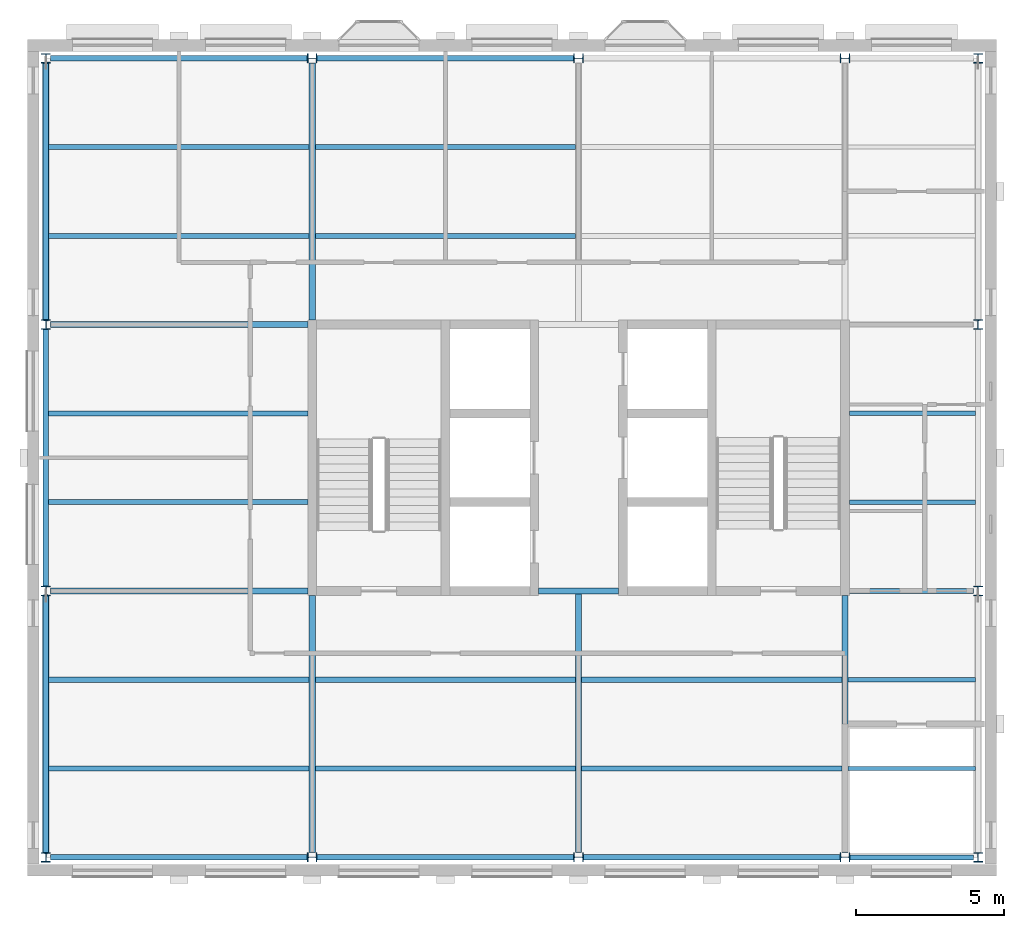
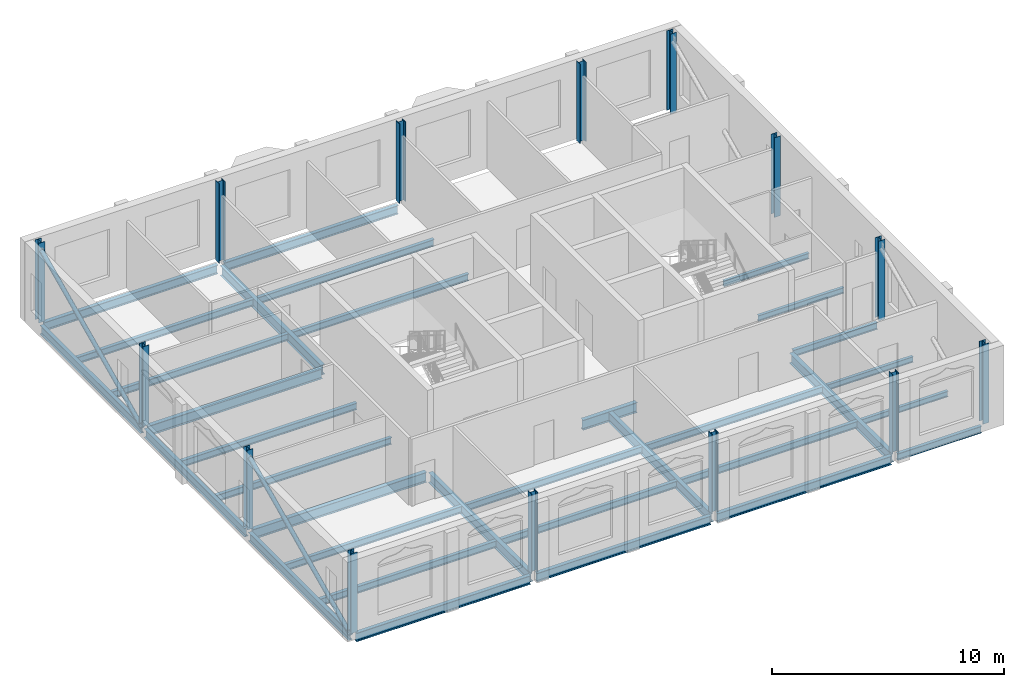
# One storey, part 1 of 9: 33 beams, 14 columns, 2 members.
"""IFC4 building model written with IfcOpenShell, lengths in metres."""

from ifc_helpers import new_model, si_unit, direction, frame, origin, origin_2d, place, context, subcontext, project, spatial, hollow_circle, i_section, extrude, material, material_profile, profile_set, type_object, element, save


model = new_model("IFC4")

# Units and contexts
model_context = context("Model", 3, precision=1e-05, world=origin(), true_north=direction((0.0, 1.0)))
body_context = subcontext(model_context, "Body", "Model", "MODEL_VIEW")
ifc_project = project(units=[si_unit("LENGTHUNIT", "METRE"), si_unit("AREAUNIT", "SQUARE_METRE"), si_unit("VOLUMEUNIT", "CUBIC_METRE"), si_unit("PLANEANGLEUNIT", "RADIAN"), si_unit("MASSUNIT", "GRAM", prefix="KILO")], contexts=[model_context])

# Site, building, storey
site_placement = place(None, origin())
site = spatial("IfcSite", under=ifc_project, at=site_placement, CompositionType="ELEMENT")
building_placement = place(site_placement, origin())
building = spatial("IfcBuilding", under=site, at=building_placement, Name="Hortulan Conservatory and Botanical Research Centre", CompositionType="ELEMENT")
storey_placement = place(building_placement, frame((0.0, 0.0, 57.0)))
storey = spatial("IfcBuildingStorey", under=building, at=storey_placement, Name="L13", CompositionType="ELEMENT", Elevation=57.0)

# Columns
ifc_material_1 = material(Name="Steel Grade 300PLUS (AS/NZS 3679.1, 280 MPa minimum yield)", Category="steel")
ifc_material_profile_1 = material_profile(ifc_material_1, i_section(OverallWidth=0.30908203125, OverallDepth=0.321044921875, WebThickness=0.013916015625, FlangeThickness=0.021728515625, FilletRadius=0.0166015625, at=origin_2d()), Name="310UC137")
ifc_profile_set_1 = profile_set([ifc_material_profile_1], Name="Steel Grade 300PLUS (AS/NZS 3679.1, 280 MPa minimum yield)")
column_type = type_object("IfcColumnType", Name="Tower Column 310UC137", PredefinedType="COLUMN", material=ifc_profile_set_1)
for number, where, z_axis, x_axis, name in (
    (1, (0.0, 0.0, 0.0), (0.0, 0.0, 1.0), (1.0, 0.0, 0.0), "310UC137 column"),
    (2, (0.0, 9.0, 0.0), (0.0, 0.0, 1.0), (1.0, 0.0, 0.0), "310UC137 column"),
    (3, (0.0, 18.0, 0.0), (0.0, 0.0, 1.0), (1.0, 0.0, 0.0), "310UC137 column"),
    (4, (0.0, 27.0, 0.0), (0.0, 0.0, 1.0), (1.0, 0.0, 0.0), "310UC137 column"),
    (5, (9.0, 0.0, 0.0), (0.0, 0.0, 1.0), (0.0, 1.0, 0.0), "310UC137 column"),
    (6, (9.0, 27.0, 0.0), (0.0, 0.0, 1.0), (0.0, 1.0, 0.0), "310UC137 column"),
    (7, (18.0, 0.0, 0.0), (0.0, 0.0, 1.0), (0.0, 1.0, 0.0), "310UC137 column"),
    (8, (18.0, 27.0, 0.0), (0.0, 0.0, 1.0), (0.0, 1.0, 0.0), "310UC137 column"),
    (9, (27.0, 0.0, 0.0), (0.0, 0.0, 1.0), (0.0, 1.0, 0.0), "310UC137 column"),
    (10, (27.0, 27.0, 0.0), (0.0, 0.0, 1.0), (0.0, 1.0, 0.0), "310UC137 column"),
    (11, (31.5, 0.0, 0.0), (0.0, 0.0, 1.0), (1.0, 0.0, 0.0), "310UC137 column"),
    (12, (31.5, 9.0, 0.0), (0.0, 0.0, 1.0), (1.0, 0.0, 0.0), "310UC137 column"),
    (13, (31.5, 18.0, 0.0), (0.0, 0.0, 1.0), (1.0, 0.0, 0.0), "310UC137 column"),
    (14, (31.5, 27.0, 0.0), (0.0, 0.0, 1.0), (1.0, 0.0, 0.0), "310UC137 column"),
):
    element("IfcColumn", number, at=place(storey_placement, frame(where, z_axis=z_axis, x_axis=x_axis)), inside=storey, type_object=column_type, Name=name, PredefinedType="COLUMN", context=body_context, shape_type="SweptSolid", body=[
        extrude(i_section(OverallWidth=0.30908203125, OverallDepth=0.321044921875, WebThickness=0.013916015625, FlangeThickness=0.021728515625, FilletRadius=0.0166015625, at=origin_2d()), origin(), (0.0, 0.0, 1.0), 4.199951171875),
    ])

# Members
ifc_material_2 = material(Name="Steel Grade C350L0 (350 MPa, AS/NZS 1163)", Category="steel")
ifc_material_profile_2 = material_profile(ifc_material_2, hollow_circle(Radius=0.109619140625, WallThickness=0.00830078125, at=origin_2d()), Name="219.1x8.2CHS")
ifc_profile_set_2 = profile_set([ifc_material_profile_2], Name="Steel Grade C350L0 (350 MPa, AS/NZS 1163)")
member_type = type_object("IfcMemberType", Name="Brace 219.1x8.2CHS", PredefinedType="BRACE", material=ifc_profile_set_2)
for number, where, z_axis, x_axis, name in (
    (15, (0.0, 0.160400390625, -0.28369140625), (0.0, 0.906183139995, 0.422885465331), (-1.0, 0.0, 0.0), "219.1x8.2CHS brace"),
    (16, (0.0, 18.160400390625, -0.28369140625), (0.0, 0.906183139995, 0.422885465331), (-1.0, 0.0, 0.0), "219.1x8.2CHS brace"),
):
    element("IfcMember", number, at=place(storey_placement, frame(where, z_axis=z_axis, x_axis=x_axis)), inside=storey, type_object=member_type, Name=name, PredefinedType="BRACE", context=body_context, shape_type="SweptSolid", body=[
        extrude(hollow_circle(Radius=0.109619140625, WallThickness=0.00830078125, at=origin_2d()), origin(), (0.0, 0.0, 1.0), 9.57763671875),
    ])

# Beams
ifc_material_profile_3 = material_profile(ifc_material_1, i_section(OverallWidth=0.1708984375, OverallDepth=0.35595703125, WebThickness=0.00732421875, FlangeThickness=0.011474609375, FilletRadius=0.011474609375, at=origin_2d()), Name="360UB50.7")
ifc_profile_set_3 = profile_set([ifc_material_profile_3], Name="Steel Grade 300PLUS (AS/NZS 3679.1, 280 MPa minimum yield)")
beam_type_1 = type_object("IfcBeamType", Name="Primary Beam 360UB50.7", PredefinedType="BEAM", material=ifc_profile_set_3)
beam_1_placement = place(storey_placement, frame((27.160400390625, 0.0, -0.30810546875), z_axis=(1.0, 0.0, 0.0), x_axis=(0.0, 1.0, 0.0)))
element("IfcBeam", 17, at=beam_1_placement, inside=storey, type_object=beam_type_1, Name="360UB50.7 girder", PredefinedType="BEAM", context=body_context, shape_type="SweptSolid", body=[
    extrude(i_section(OverallWidth=0.1708984375, OverallDepth=0.35595703125, WebThickness=0.00732421875, FlangeThickness=0.011474609375, FilletRadius=0.011474609375, at=origin_2d()), origin(), (0.0, 0.0, 1.0), 4.18505859375),
])
beam_2_placement = place(storey_placement, frame((27.14990234375, 9.0, -0.30810546875), z_axis=(1.0, 0.0, 0.0), x_axis=(0.0, 1.0, 0.0)))
element("IfcBeam", 18, at=beam_2_placement, inside=storey, type_object=beam_type_1, Name="360UB50.7 girder", PredefinedType="BEAM", context=body_context, shape_type="SweptSolid", body=[
    extrude(i_section(OverallWidth=0.1708984375, OverallDepth=0.35595703125, WebThickness=0.00732421875, FlangeThickness=0.011474609375, FilletRadius=0.011474609375, at=origin_2d()), origin(), (0.0, 0.0, 1.0), 4.195556640625),
])
ifc_material_profile_4 = material_profile(ifc_material_1, i_section(OverallWidth=0.18994140625, OverallDepth=0.45703125, WebThickness=0.009033203125, FlangeThickness=0.014404296875, FilletRadius=0.011474609375, at=origin_2d()), Name="460UB74.6")
ifc_profile_set_4 = profile_set([ifc_material_profile_4], Name="Steel Grade 300PLUS (AS/NZS 3679.1, 280 MPa minimum yield)")
beam_type_2 = type_object("IfcBeamType", Name="Primary Beam 460UB74.6", PredefinedType="BEAM", material=ifc_profile_set_4)
beam_3_placement = place(storey_placement, frame((0.0, 0.160400390625, -0.3583984375), z_axis=(0.0, 1.0, 0.0), x_axis=(-1.0, 0.0, 0.0)))
element("IfcBeam", 19, at=beam_3_placement, inside=storey, type_object=beam_type_2, Name="460UB74.6 girder", PredefinedType="BEAM", context=body_context, shape_type="SweptSolid", body=[
    extrude(i_section(OverallWidth=0.18994140625, OverallDepth=0.45703125, WebThickness=0.009033203125, FlangeThickness=0.014404296875, FilletRadius=0.011474609375, at=origin_2d()), origin(), (0.0, 0.0, 1.0), 8.67919921875),
])
beam_4_placement = place(storey_placement, frame((0.154541015625, 0.0, -0.3583984375), z_axis=(1.0, 0.0, 0.0), x_axis=(0.0, 1.0, 0.0)))
element("IfcBeam", 20, at=beam_4_placement, inside=storey, type_object=beam_type_2, Name="460UB74.6 girder", PredefinedType="BEAM", context=body_context, shape_type="SweptSolid", body=[
    extrude(i_section(OverallWidth=0.18994140625, OverallDepth=0.45703125, WebThickness=0.009033203125, FlangeThickness=0.014404296875, FilletRadius=0.011474609375, at=origin_2d()), origin(), (0.0, 0.0, 1.0), 8.68505859375),
])
for number, where, z_axis, x_axis, name in (
    (21, (0.0, 9.160400390625, -0.3583984375), (0.0, 1.0, 0.0), (-1.0, 0.0, 0.0), "460UB74.6 girder"),
    (22, (0.0, 18.160400390625, -0.3583984375), (0.0, 1.0, 0.0), (-1.0, 0.0, 0.0), "460UB74.6 girder"),
):
    element("IfcBeam", number, at=place(storey_placement, frame(where, z_axis=z_axis, x_axis=x_axis)), inside=storey, type_object=beam_type_2, Name=name, PredefinedType="BEAM", context=body_context, shape_type="SweptSolid", body=[
        extrude(i_section(OverallWidth=0.18994140625, OverallDepth=0.45703125, WebThickness=0.009033203125, FlangeThickness=0.014404296875, FilletRadius=0.011474609375, at=origin_2d()), origin(), (0.0, 0.0, 1.0), 8.67919921875),
    ])
beam_5_placement = place(storey_placement, frame((0.154541015625, 27.0, -0.3583984375), z_axis=(1.0, 0.0, 0.0), x_axis=(0.0, 1.0, 0.0)))
element("IfcBeam", 23, at=beam_5_placement, inside=storey, type_object=beam_type_2, Name="460UB74.6 girder", PredefinedType="BEAM", context=body_context, shape_type="SweptSolid", body=[
    extrude(i_section(OverallWidth=0.18994140625, OverallDepth=0.45703125, WebThickness=0.009033203125, FlangeThickness=0.014404296875, FilletRadius=0.011474609375, at=origin_2d()), origin(), (0.0, 0.0, 1.0), 8.68505859375),
])
for number, where, z_axis, x_axis, name in (
    (24, (9.160400390625, 0.0, -0.3583984375), (1.0, 0.0, 0.0), (0.0, 1.0, 0.0), "460UB74.6 girder"),
    (25, (9.160400390625, 27.0, -0.3583984375), (1.0, 0.0, 0.0), (0.0, 1.0, 0.0), "460UB74.6 girder"),
    (26, (18.160400390625, 0.0, -0.3583984375), (1.0, 0.0, 0.0), (0.0, 1.0, 0.0), "460UB74.6 girder"),
):
    element("IfcBeam", number, at=place(storey_placement, frame(where, z_axis=z_axis, x_axis=x_axis)), inside=storey, type_object=beam_type_2, Name=name, PredefinedType="BEAM", context=body_context, shape_type="SweptSolid", body=[
        extrude(i_section(OverallWidth=0.18994140625, OverallDepth=0.45703125, WebThickness=0.009033203125, FlangeThickness=0.014404296875, FilletRadius=0.011474609375, at=origin_2d()), origin(), (0.0, 0.0, 1.0), 8.67919921875),
    ])
ifc_material_profile_5 = material_profile(ifc_material_1, i_section(OverallWidth=0.208984375, OverallDepth=0.528076171875, WebThickness=0.009521484375, FlangeThickness=0.01318359375, FilletRadius=0.013916015625, at=origin_2d()), Name="530UB82.0")
ifc_profile_set_5 = profile_set([ifc_material_profile_5], Name="Steel Grade 300PLUS (AS/NZS 3679.1, 280 MPa minimum yield)")
beam_type_3 = type_object("IfcBeamType", Name="Primary Beam 530UB82.0", PredefinedType="BEAM", material=ifc_profile_set_5)
for number, where, z_axis, x_axis, name in (
    (27, (0.154541015625, 9.0, -0.39404296875), (1.0, 0.0, 0.0), (0.0, 1.0, 0.0), "530UB82.0 girder"),
    (28, (0.154541015625, 18.0, -0.39404296875), (1.0, 0.0, 0.0), (0.0, 1.0, 0.0), "530UB82.0 girder"),
    (29, (9.0, 0.154541015625, -0.39404296875), (0.0, 1.0, 0.0), (-1.0, 0.0, 0.0), "530UB82.0 girder"),
    (30, (9.0, 18.14990234375, -0.39404296875), (0.0, 1.0, 0.0), (-1.0, 0.0, 0.0), "530UB82.0 girder"),
):
    element("IfcBeam", number, at=place(storey_placement, frame(where, z_axis=z_axis, x_axis=x_axis)), inside=storey, type_object=beam_type_3, Name=name, PredefinedType="BEAM", context=body_context, shape_type="SweptSolid", body=[
        extrude(i_section(OverallWidth=0.208984375, OverallDepth=0.528076171875, WebThickness=0.009521484375, FlangeThickness=0.01318359375, FilletRadius=0.013916015625, at=origin_2d()), origin(), (0.0, 0.0, 1.0), 8.695556640625),
    ])
beam_6_placement = place(storey_placement, frame((16.64990234375, 9.0, -0.39404296875), z_axis=(1.0, 0.0, 0.0), x_axis=(0.0, 1.0, 0.0)))
element("IfcBeam", 31, at=beam_6_placement, inside=storey, type_object=beam_type_3, Name="530UB82.0 girder", PredefinedType="BEAM", context=body_context, shape_type="SweptSolid", body=[
    extrude(i_section(OverallWidth=0.208984375, OverallDepth=0.528076171875, WebThickness=0.009521484375, FlangeThickness=0.01318359375, FilletRadius=0.013916015625, at=origin_2d()), origin(), (0.0, 0.0, 1.0), 2.7001953125),
])
beam_7_placement = place(storey_placement, frame((18.0, 0.154541015625, -0.39404296875), z_axis=(0.0, 1.0, 0.0), x_axis=(-1.0, 0.0, 0.0)))
element("IfcBeam", 32, at=beam_7_placement, inside=storey, type_object=beam_type_3, Name="530UB82.0 girder", PredefinedType="BEAM", context=body_context, shape_type="SweptSolid", body=[
    extrude(i_section(OverallWidth=0.208984375, OverallDepth=0.528076171875, WebThickness=0.009521484375, FlangeThickness=0.01318359375, FilletRadius=0.013916015625, at=origin_2d()), origin(), (0.0, 0.0, 1.0), 8.845458984375),
])
beam_8_placement = place(storey_placement, frame((27.0, 0.154541015625, -0.39404296875), z_axis=(0.0, 1.0, 0.0), x_axis=(-1.0, 0.0, 0.0)))
element("IfcBeam", 33, at=beam_8_placement, inside=storey, type_object=beam_type_3, Name="530UB82.0 girder", PredefinedType="BEAM", context=body_context, shape_type="SweptSolid", body=[
    extrude(i_section(OverallWidth=0.208984375, OverallDepth=0.528076171875, WebThickness=0.009521484375, FlangeThickness=0.01318359375, FilletRadius=0.013916015625, at=origin_2d()), origin(), (0.0, 0.0, 1.0), 8.695556640625),
])
ifc_material_profile_6 = material_profile(ifc_material_1, i_section(OverallWidth=0.14892578125, OverallDepth=0.298095703125, WebThickness=0.005615234375, FlangeThickness=0.008056640625, FilletRadius=0.012939453125, at=origin_2d()), Name="310UB32.0")
ifc_profile_set_6 = profile_set([ifc_material_profile_6], Name="Steel Grade 300PLUS (AS/NZS 3679.1, 280 MPa minimum yield)")
beam_type_4 = type_object("IfcBeamType", Name="Secondary Beam 310UB32.0", PredefinedType="JOIST", material=ifc_profile_set_6)
for number, where, z_axis, x_axis, name in (
    (34, (27.1044921875, 3.0, -0.279052734375), (1.0, 0.0, 0.0), (0.0, 1.0, 0.0), "310UB32.0 secondary beam"),
    (35, (27.1044921875, 6.0, -0.279052734375), (1.0, 0.0, 0.0), (0.0, 1.0, 0.0), "310UB32.0 secondary beam"),
):
    element("IfcBeam", number, at=place(storey_placement, frame(where, z_axis=z_axis, x_axis=x_axis)), inside=storey, type_object=beam_type_4, Name=name, PredefinedType="JOIST", context=body_context, shape_type="SweptSolid", body=[
        extrude(i_section(OverallWidth=0.14892578125, OverallDepth=0.298095703125, WebThickness=0.005615234375, FlangeThickness=0.008056640625, FilletRadius=0.012939453125, at=origin_2d()), origin(), (0.0, 0.0, 1.0), 4.300537109375),
    ])
for number, where, z_axis, x_axis, name in (
    (36, (27.14990234375, 12.0, -0.279052734375), (1.0, 0.0, 0.0), (0.0, 1.0, 0.0), "310UB32.0 secondary beam"),
    (37, (27.14990234375, 15.0, -0.279052734375), (1.0, 0.0, 0.0), (0.0, 1.0, 0.0), "310UB32.0 secondary beam"),
):
    element("IfcBeam", number, at=place(storey_placement, frame(where, z_axis=z_axis, x_axis=x_axis)), inside=storey, type_object=beam_type_4, Name=name, PredefinedType="JOIST", context=body_context, shape_type="SweptSolid", body=[
        extrude(i_section(OverallWidth=0.14892578125, OverallDepth=0.298095703125, WebThickness=0.005615234375, FlangeThickness=0.008056640625, FilletRadius=0.012939453125, at=origin_2d()), origin(), (0.0, 0.0, 1.0), 4.255126953125),
    ])
ifc_material_profile_7 = material_profile(ifc_material_1, i_section(OverallWidth=0.1708984375, OverallDepth=0.35595703125, WebThickness=0.00732421875, FlangeThickness=0.011474609375, FilletRadius=0.011474609375, at=origin_2d()), Name="360UB50.7")
ifc_profile_set_7 = profile_set([ifc_material_profile_7], Name="Steel Grade 300PLUS (AS/NZS 3679.1, 280 MPa minimum yield)")
beam_type_5 = type_object("IfcBeamType", Name="Secondary Beam 360UB50.7", PredefinedType="JOIST", material=ifc_profile_set_7)
for number, where, z_axis, x_axis, name in (
    (38, (0.094970703125, 3.0, -0.30810546875), (1.0, 0.0, 0.0), (0.0, 1.0, 0.0), "360UB50.7 secondary beam"),
    (39, (0.094970703125, 6.0, -0.30810546875), (1.0, 0.0, 0.0), (0.0, 1.0, 0.0), "360UB50.7 secondary beam"),
):
    element("IfcBeam", number, at=place(storey_placement, frame(where, z_axis=z_axis, x_axis=x_axis)), inside=storey, type_object=beam_type_5, Name=name, PredefinedType="JOIST", context=body_context, shape_type="SweptSolid", body=[
        extrude(i_section(OverallWidth=0.1708984375, OverallDepth=0.35595703125, WebThickness=0.00732421875, FlangeThickness=0.011474609375, FilletRadius=0.011474609375, at=origin_2d()), origin(), (0.0, 0.0, 1.0), 8.800537109375),
    ])
for number, where, z_axis, x_axis, name in (
    (40, (0.094970703125, 12.0, -0.30810546875), (1.0, 0.0, 0.0), (0.0, 1.0, 0.0), "360UB50.7 secondary beam"),
    (41, (0.094970703125, 15.0, -0.30810546875), (1.0, 0.0, 0.0), (0.0, 1.0, 0.0), "360UB50.7 secondary beam"),
):
    element("IfcBeam", number, at=place(storey_placement, frame(where, z_axis=z_axis, x_axis=x_axis)), inside=storey, type_object=beam_type_5, Name=name, PredefinedType="JOIST", context=body_context, shape_type="SweptSolid", body=[
        extrude(i_section(OverallWidth=0.1708984375, OverallDepth=0.35595703125, WebThickness=0.00732421875, FlangeThickness=0.011474609375, FilletRadius=0.011474609375, at=origin_2d()), origin(), (0.0, 0.0, 1.0), 8.755126953125),
    ])
for number, where, z_axis, x_axis, name in (
    (42, (0.094970703125, 21.0, -0.30810546875), (1.0, 0.0, 0.0), (0.0, 1.0, 0.0), "360UB50.7 secondary beam"),
    (43, (0.094970703125, 24.0, -0.30810546875), (1.0, 0.0, 0.0), (0.0, 1.0, 0.0), "360UB50.7 secondary beam"),
):
    element("IfcBeam", number, at=place(storey_placement, frame(where, z_axis=z_axis, x_axis=x_axis)), inside=storey, type_object=beam_type_5, Name=name, PredefinedType="JOIST", context=body_context, shape_type="SweptSolid", body=[
        extrude(i_section(OverallWidth=0.1708984375, OverallDepth=0.35595703125, WebThickness=0.00732421875, FlangeThickness=0.011474609375, FilletRadius=0.011474609375, at=origin_2d()), origin(), (0.0, 0.0, 1.0), 8.800537109375),
    ])
for number, where, z_axis, x_axis, name in (
    (44, (9.1044921875, 3.0, -0.30810546875), (1.0, 0.0, 0.0), (0.0, 1.0, 0.0), "360UB50.7 secondary beam"),
    (45, (9.1044921875, 6.0, -0.30810546875), (1.0, 0.0, 0.0), (0.0, 1.0, 0.0), "360UB50.7 secondary beam"),
    (46, (9.1044921875, 21.0, -0.30810546875), (1.0, 0.0, 0.0), (0.0, 1.0, 0.0), "360UB50.7 secondary beam"),
    (47, (9.1044921875, 24.0, -0.30810546875), (1.0, 0.0, 0.0), (0.0, 1.0, 0.0), "360UB50.7 secondary beam"),
    (48, (18.1044921875, 3.0, -0.30810546875), (1.0, 0.0, 0.0), (0.0, 1.0, 0.0), "360UB50.7 secondary beam"),
    (49, (18.1044921875, 6.0, -0.30810546875), (1.0, 0.0, 0.0), (0.0, 1.0, 0.0), "360UB50.7 secondary beam"),
):
    element("IfcBeam", number, at=place(storey_placement, frame(where, z_axis=z_axis, x_axis=x_axis)), inside=storey, type_object=beam_type_5, Name=name, PredefinedType="JOIST", context=body_context, shape_type="SweptSolid", body=[
        extrude(i_section(OverallWidth=0.1708984375, OverallDepth=0.35595703125, WebThickness=0.00732421875, FlangeThickness=0.011474609375, FilletRadius=0.011474609375, at=origin_2d()), origin(), (0.0, 0.0, 1.0), 8.791015625),
    ])

save(model, "model.ifc")
